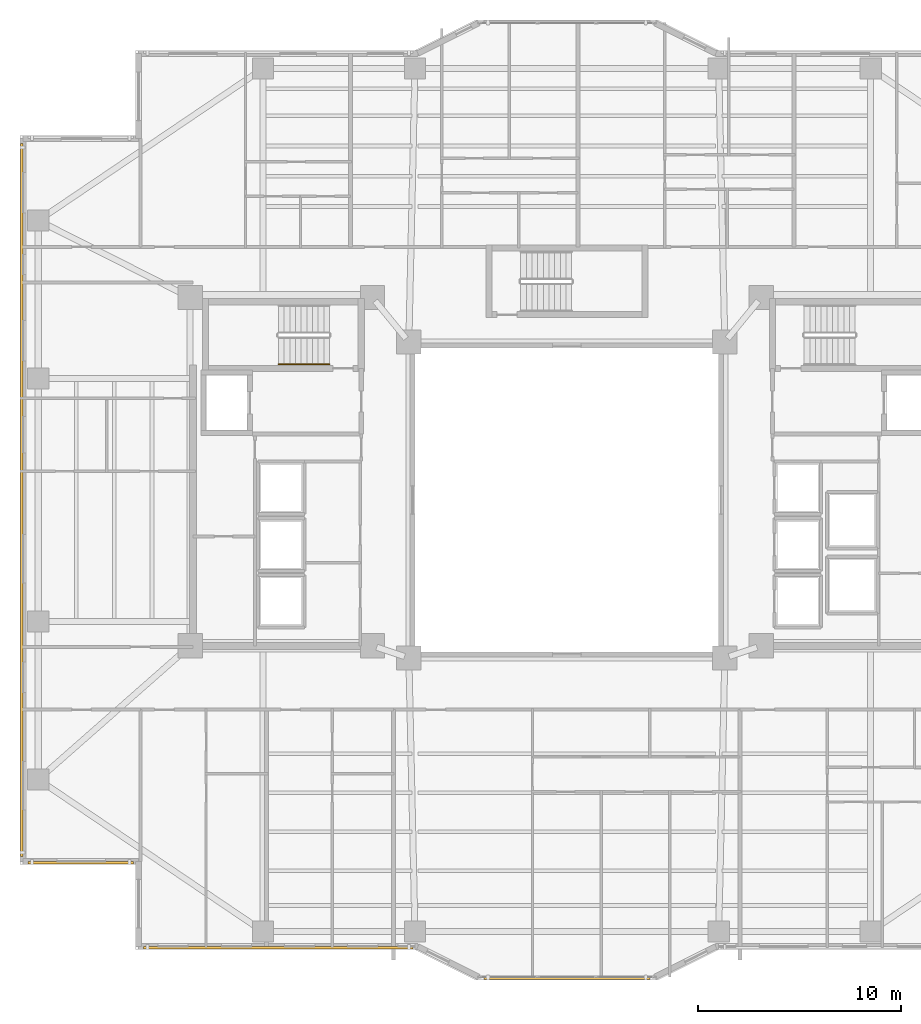
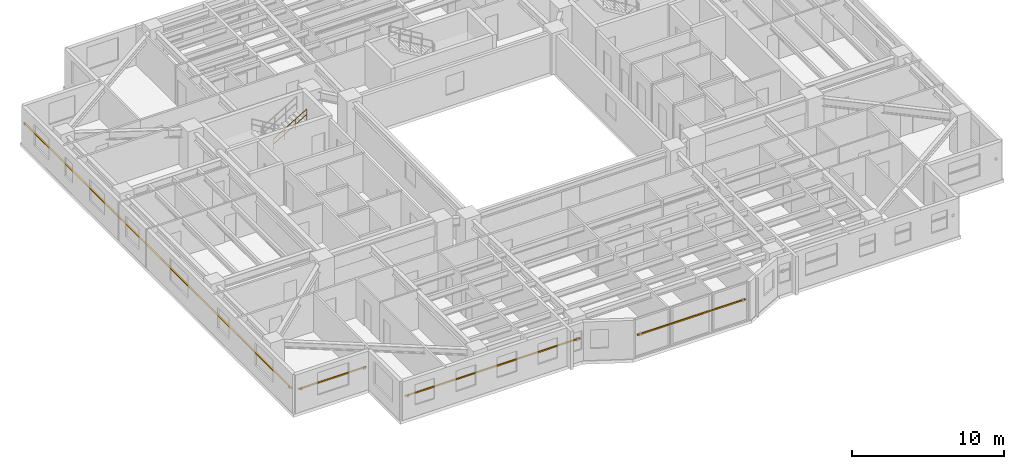
# One storey, part 15 of 19: 4 shading devices, 1 railing.
"""IFC4 building model written with IfcOpenShell, lengths in metres."""

from ifc_helpers import new_model, si_unit, direction, frame, origin, origin_2d, place, context, subcontext, project, spatial, rectangle, circle, extrude, material, material_profile, profile_set, type_object, element, save


model = new_model("IFC4")

# Units and contexts
model_context = context("Model", 3, precision=1e-05, world=origin(), true_north=direction((0.0, 1.0)))
body_context = subcontext(model_context, "Body", "Model", "MODEL_VIEW")
ifc_project = project(units=[si_unit("LENGTHUNIT", "METRE"), si_unit("AREAUNIT", "SQUARE_METRE"), si_unit("VOLUMEUNIT", "CUBIC_METRE"), si_unit("PLANEANGLEUNIT", "RADIAN"), si_unit("MASSUNIT", "GRAM", prefix="KILO")], contexts=[model_context])

# Site, building, storey
site_placement = place(None, origin())
site = spatial("IfcSite", under=ifc_project, at=site_placement, CompositionType="ELEMENT")
building_placement = place(site_placement, origin())
building = spatial("IfcBuilding", under=site, at=building_placement, Name="Tarnavaz Court Tower", CompositionType="ELEMENT")
storey_placement = place(building_placement, frame((0.0, 0.0, 81.64990234375)))
storey = spatial("IfcBuildingStorey", under=building, at=storey_placement, Name="L21", CompositionType="ELEMENT", Elevation=81.64990234375)

# Railing
ifc_material_1 = material(Name="Brushed Stainless Steel", Category="steel")
railing_type = type_object("IfcRailingType", Name="RL-HANDRAIL-900", PredefinedType="HANDRAIL", material=ifc_material_1)
railing_placement = place(storey_placement, frame((-14.239990234375, 6.699951171875, 1.842529296875)))
element("IfcRailing", 1, at=railing_placement, inside=storey, type_object=railing_type, Name="L21 ST-W1 stair handrail 2", PredefinedType="HANDRAIL", context=body_context, shape_type="SweptSolid", body=[
    extrude(circle(Radius=0.02392578125, at=origin_2d()), frame((0.0, 0.0, 0.8759765625), z_axis=(0.858159760407, 0.0, 0.513382728203), x_axis=(0.0, 1.0, 0.0)), (0.0, 0.0, 1.0), 2.9365234375),
    extrude(circle(Radius=0.02392578125, at=origin_2d()), frame((0.0, 0.0, 0.449951171875), z_axis=(0.858159760407, 0.0, 0.513382728203), x_axis=(0.0, 1.0, 0.0)), (0.0, 0.0, 1.0), 2.9365234375),
    extrude(circle(Radius=0.02099609375, at=origin_2d()), origin(), (0.0, 0.0, 1.0), 0.851806640625),
    extrude(circle(Radius=0.02099609375, at=origin_2d()), frame((0.840087890625, 0.0, 0.50244140625)), (0.0, 0.0, 1.0), 0.851806640625),
    extrude(circle(Radius=0.02099609375, at=origin_2d()), frame((1.679931640625, 0.0, 1.005126953125)), (0.0, 0.0, 1.0), 0.851806640625),
    extrude(circle(Radius=0.02099609375, at=origin_2d()), frame((2.52001953125, 0.0, 1.507568359375)), (0.0, 0.0, 1.0), 0.851806640625),
])

# Shading devices
ifc_material_2 = material(Name="Kiln-Fired Khorasan Terracotta Ceramic", Category="masonry")
ifc_material_profile = material_profile(ifc_material_2, rectangle(XDim=0.1201171875, YDim=0.06005859375, at=origin_2d()), Name="TC BAGUETTE 120X60")
ifc_profile_set = profile_set([ifc_material_profile], Name="Kiln-Fired Khorasan Terracotta Ceramic")
shading_device_type = type_object("IfcShadingDeviceType", Name="SD-BAG-120", PredefinedType="USERDEFINED", material=ifc_profile_set)
shading_device_1_placement = place(storey_placement, frame((-21.39990234375, -17.909912109375, 1.85009765625), z_axis=(-1.0, 0.0, 0.0), x_axis=(0.0, -1.0, 0.0)))
element("IfcShadingDevice", 2, at=shading_device_1_placement, inside=storey, type_object=shading_device_type, Name="L21 Terracotta Baguette Screen FBG01", ObjectType="BAGUETTE", PredefinedType="USERDEFINED", context=body_context, shape_type="SweptSolid", body=[
    extrude(rectangle(XDim=0.1201171875, YDim=0.06005859375, at=origin_2d()), origin(), (0.0, 0.0, 1.0), 5.2001953125),
])
shading_device_2_placement = place(storey_placement, frame((-26.909912109375, -17.60009765625, 1.85009765625), z_axis=(0.0, 1.0, 0.0), x_axis=(-1.0, 0.0, 0.0)))
element("IfcShadingDevice", 3, at=shading_device_2_placement, inside=storey, type_object=shading_device_type, Name="L21 Terracotta Baguette Screen FBG02", ObjectType="BAGUETTE", PredefinedType="USERDEFINED", context=body_context, shape_type="SweptSolid", body=[
    extrude(rectangle(XDim=0.1201171875, YDim=0.06005859375, at=origin_2d()), origin(), (0.0, 0.0, 1.0), 35.2001953125),
])
shading_device_3_placement = place(storey_placement, frame((4.10009765625, -23.610107421875, 1.800048828125), z_axis=(-1.0, 0.0, 0.0), x_axis=(0.0, -1.0, 0.0)))
element("IfcShadingDevice", 4, at=shading_device_3_placement, inside=storey, type_object=shading_device_type, Name="L21 Terracotta Baguette Screen PBG17", ObjectType="BAGUETTE", PredefinedType="USERDEFINED", context=body_context, shape_type="SweptSolid", body=[
    extrude(rectangle(XDim=0.1201171875, YDim=0.06005859375, at=origin_2d()), origin(), (0.0, 0.0, 1.0), 8.2001953125),
])
shading_device_4_placement = place(storey_placement, frame((-7.60009765625, -22.110107421875, 1.85009765625), z_axis=(-1.0, 0.0, 0.0), x_axis=(0.0, -1.0, 0.0)))
element("IfcShadingDevice", 5, at=shading_device_4_placement, inside=storey, type_object=shading_device_type, Name="L21 Terracotta Baguette Screen FBG19", ObjectType="BAGUETTE", PredefinedType="USERDEFINED", context=body_context, shape_type="SweptSolid", body=[
    extrude(rectangle(XDim=0.1201171875, YDim=0.06005859375, at=origin_2d()), origin(), (0.0, 0.0, 1.0), 13.2998046875),
])

save(model, "model.ifc")
